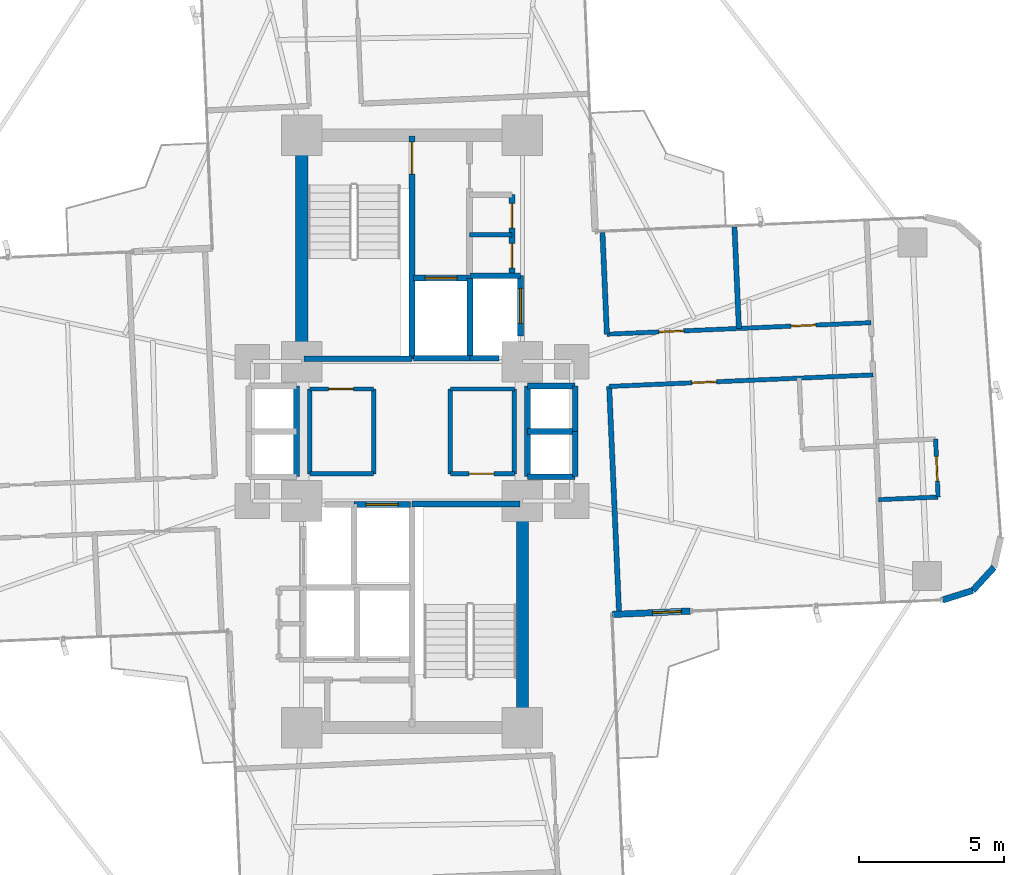
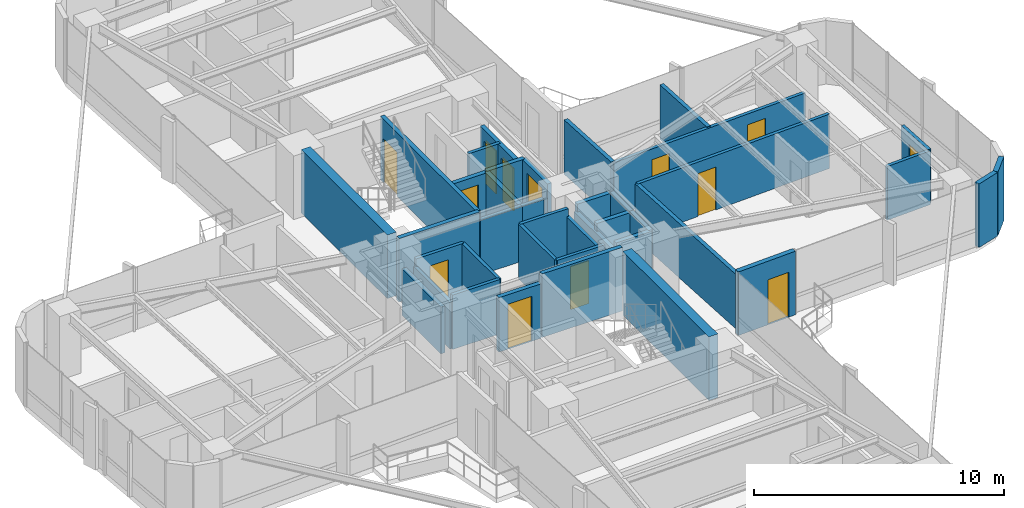
# One storey, part 24 of 27: 39 walls, 13 doors, 13 openings.
"""IFC4 building model written with IfcOpenShell, lengths in metres."""

from ifc_helpers import new_model, si_unit, direction, frame, frame_2d, origin, origin_2d, place, context, subcontext, project, spatial, rectangle, extrude, source, transform, mapped, material, layer, layer_set, type_object, element, fill, save


model = new_model("IFC4")

# Units and contexts
model_context = context("Model", 3, precision=1e-05, world=origin(), true_north=direction((0.0, 1.0)))
body_context = subcontext(model_context, "Body", "Model", "MODEL_VIEW")
ifc_project = project(units=[si_unit("LENGTHUNIT", "METRE"), si_unit("AREAUNIT", "SQUARE_METRE"), si_unit("VOLUMEUNIT", "CUBIC_METRE"), si_unit("PLANEANGLEUNIT", "RADIAN"), si_unit("MASSUNIT", "GRAM", prefix="KILO")], contexts=[model_context])

# Site, building, storey
site_placement = place(None, origin())
site = spatial("IfcSite", under=ifc_project, at=site_placement, CompositionType="ELEMENT")
building_placement = place(site_placement, origin())
building = spatial("IfcBuilding", under=site, at=building_placement, Name="Sahyath Konkavel Grand Hotel", CompositionType="ELEMENT")
storey_placement = place(building_placement, frame((0.0, 0.0, 90.199951171875)))
storey = spatial("IfcBuildingStorey", under=building, at=storey_placement, Name="L24", CompositionType="ELEMENT", Elevation=90.199951171875)

# Walls
ifc_material_1 = material(Name="Concrete C50/60", Category="concrete")
ifc_layer_1 = layer(ifc_material_1, 0.419921875)
ifc_layer_set_1 = layer_set([ifc_layer_1], Name="Concrete C50/60")
wall_type_1 = type_object("IfcWallType", Name="CWALL-420", PredefinedType="SHEAR", material=ifc_layer_set_1)
for number, where, z_axis, x_axis, name in (
    (1, (-3.800048828125, 2.85009765625, 0.0), (0.0, 0.0, 1.0), (0.0, 1.0, 0.0), "L24 North Core Shear Wall W"),
    (2, (3.800048828125, -9.75, 0.0), (0.0, 0.0, 1.0), (0.0, 1.0, 0.0), "L24 South Core Shear Wall E"),
):
    element("IfcWall", number, at=place(storey_placement, frame(where, z_axis=z_axis, x_axis=x_axis)), inside=storey, type_object=wall_type_1, Name=name, PredefinedType="SHEAR", context=body_context, shape_type="SweptSolid", body=[
        extrude(rectangle(XDim=6.89990234375, YDim=0.419921875, at=frame_2d((3.449951171875, 0.0))), origin(), (0.0, 0.0, 1.0), 3.110107421875),
    ])

# Wall, opening, door
ifc_material_2 = material(Name="Warm Buff Sandstone Insulated Concrete C40/50", Category="masonry")
ifc_layer_2 = layer(ifc_material_2, 0.219970703125)
ifc_layer_set_2 = layer_set([ifc_layer_2], Name="Warm Buff Sandstone Insulated Concrete C40/50")
wall_type_2 = type_object("IfcWallType", Name="WLL-BALC-THRESH", PredefinedType="STANDARD", material=ifc_layer_set_2)
wall_1_placement = place(storey_placement, frame((6.881591796875, -6.305908203125, 0.0), z_axis=(0.0, 0.0, 1.0), x_axis=(0.999045894436, 0.043672655174, 0.0)))
wall_1 = element("IfcWall", 3, at=wall_1_placement, inside=storey, type_object=wall_type_2, Name="L24 Winter-Garden Threshold Wall 0", PredefinedType="STANDARD", context=body_context, shape_type="SweptSolid", body=[
    extrude(rectangle(XDim=2.7001953125, YDim=0.219970703125, at=frame_2d((1.35009765625, 0.0))), origin(), (0.0, 0.0, 1.0), 3.110107421875),
])
opening_1_placement = place(wall_1_placement, frame((1.39990234375, 0.0, 0.0)))
opening_1 = element("IfcOpeningElement", 4, at=opening_1_placement, cuts=wall_1, Name="Opening D-TR1", PredefinedType="OPENING", context=body_context, shape_type="SweptSolid", body=[
    extrude(rectangle(XDim=1.0, YDim=2.199951171875, at=frame_2d((0.5, 1.10009765625))), frame((0.0, 0.1201171875, 0.0), z_axis=(0.0, -1.0, 0.0), x_axis=(1.0, 0.0, 0.0)), (0.0, 0.0, 1.0), 0.239990234375),
])
ifc_material_3 = material(Name="Anodised Bronze Aluminium & Low-E Glazing", Category="aluminium")
door_type_1 = type_object("IfcDoorType", Name="DR-TERRACE-1000", OperationType="NOTDEFINED", PredefinedType="DOOR", material=ifc_material_3)
shared_shape_1 = source(origin(), body_context, "Body", "SweptSolid", [
    extrude(rectangle(XDim=1.0, YDim=0.050048828125, at=origin_2d()), origin(), (0.0, 0.0, 1.0), 2.199951171875),
])
door_1_placement = place(opening_1_placement, frame((0.5, 0.0, 0.0)))
door_1 = element("IfcDoor", 5, at=door_1_placement, inside=storey, type_object=door_type_1, Name="L24 Winter-Garden Terrace Door 0", OperationType="SINGLE_SWING_LEFT", OverallHeight=2.199951171875, OverallWidth=1.0, PredefinedType="DOOR", context=body_context, shape_type="MappedRepresentation", body=[
    mapped(shared_shape_1, transform((0.0, 0.0, 0.0), scale=1.0)),
])
fill(opening_1, door_1)

# Walls
for number, where, z_axis, x_axis, name in (
    (6, (18.270751953125, -5.80859375, 0.0), (0.0, 0.0, 1.0), (0.953721713582, 0.30069069331, 0.0), "L24 Rounded Corner Sandstone Pier 1"),
    (7, (19.3076171875, -5.481689453125, 0.0), (0.0, 0.0, 1.0), (0.675551721847, 0.737312600672, 0.0), "L24 Rounded Corner Sandstone Pier 2"),
):
    element("IfcWall", number, at=place(storey_placement, frame(where, z_axis=z_axis, x_axis=x_axis)), inside=storey, type_object=wall_type_2, Name=name, PredefinedType="STANDARD", context=body_context, shape_type="SweptSolid", body=[
        extrude(rectangle(XDim=1.087158203125, YDim=0.219970703125, at=frame_2d((0.54345703125, 0.0))), origin(), (0.0, 0.0, 1.0), 3.110107421875),
    ])

# Wall, opening, door
ifc_material_4 = material(Name="Concrete C40/50", Category="concrete")
ifc_layer_3 = layer(ifc_material_4, 0.199951171875)
ifc_layer_set_3 = layer_set([ifc_layer_3], Name="Concrete C40/50")
wall_type_3 = type_object("IfcWallType", Name="WLL-CORE-200", PredefinedType="SOLIDWALL", material=ifc_layer_set_3)
wall_2_placement = place(storey_placement, frame((0.0, 2.5, 0.0), z_axis=(0.0, 0.0, 1.0), x_axis=(0.0, 1.0, 0.0)))
wall_2 = element("IfcWall", 8, at=wall_2_placement, inside=storey, type_object=wall_type_3, Name="L24 Stair ST-1 Shaft Wall E", PredefinedType="SOLIDWALL", context=body_context, shape_type="SweptSolid", body=[
    extrude(rectangle(XDim=7.679931640625, YDim=0.199951171875, at=frame_2d((3.83984375, 0.0))), origin(), (0.0, 0.0, 1.0), 3.110107421875),
])
opening_2_placement = place(wall_2_placement, frame((6.360107421875, 0.0, 0.0)))
opening_2 = element("IfcOpeningElement", 9, at=opening_2_placement, cuts=wall_2, Name="Opening D-F12B", PredefinedType="OPENING", context=body_context, shape_type="SweptSolid", body=[
    extrude(rectangle(XDim=1.10009765625, YDim=2.14990234375, at=frame_2d((0.550048828125, 1.074951171875))), frame((0.0, 0.10986328125, 0.0), z_axis=(0.0, -1.0, 0.0), x_axis=(1.0, 0.0, 0.0)), (0.0, 0.0, 1.0), 0.219970703125),
])
ifc_material_5 = material(Name="Steel E350 Smokeproof Fire Door", Category="steel")
door_type_2 = type_object("IfcDoorType", Name="DR-FD120-1100", OperationType="NOTDEFINED", PredefinedType="DOOR", material=ifc_material_5)
shared_shape_2 = source(origin(), body_context, "Body", "SweptSolid", [
    extrude(rectangle(XDim=1.10009765625, YDim=0.050048828125, at=origin_2d()), origin(), (0.0, 0.0, 1.0), 2.14990234375),
])
door_2_placement = place(opening_2_placement, frame((0.550048828125, 0.0, 0.0)))
door_2 = element("IfcDoor", 10, at=door_2_placement, inside=storey, type_object=door_type_2, Name="L24 Stair ST-1 Fire Door", OperationType="SINGLE_SWING_RIGHT", OverallHeight=2.14990234375, OverallWidth=1.10009765625, PredefinedType="DOOR", context=body_context, shape_type="MappedRepresentation", body=[
    mapped(shared_shape_2, transform((0.0, 0.0, 0.0), scale=1.0)),
])
fill(opening_2, door_2)

# Walls
for number, where, z_axis, x_axis, name in (
    (11, (-3.719970703125, 2.5, 0.0), (0.0, 0.0, 1.0), (1.0, 0.0, 0.0), "L24 Stair ST-1 Shaft Wall S"),
    (12, (0.0, -2.5, 0.0), (0.0, 0.0, 1.0), (1.0, 0.0, 0.0), "L24 Stair ST-2 Shaft Wall N"),
):
    element("IfcWall", number, at=place(storey_placement, frame(where, z_axis=z_axis, x_axis=x_axis)), inside=storey, type_object=wall_type_3, Name=name, PredefinedType="SOLIDWALL", context=body_context, shape_type="SweptSolid", body=[
        extrude(rectangle(XDim=3.719970703125, YDim=0.199951171875, at=frame_2d((1.85986328125, 0.0))), origin(), (0.0, 0.0, 1.0), 3.110107421875),
    ])
wall_3_placement = place(storey_placement, frame((2.0, 2.5, 0.0), z_axis=(0.0, 0.0, 1.0), x_axis=(0.0, 1.0, 0.0)))
element("IfcWall", 13, at=wall_3_placement, inside=storey, type_object=wall_type_3, Name="L24 Partition SH-FFL1-E", PredefinedType="SOLIDWALL", context=body_context, shape_type="SweptSolid", body=[
    extrude(rectangle(XDim=2.780029296875, YDim=0.199951171875, at=frame_2d((1.39013671875, 0.0))), origin(), (0.0, 0.0, 1.0), 2.66015625),
])
wall_4_placement = place(storey_placement, frame((0.050048828125, 2.52001953125, 0.0), z_axis=(0.0, 0.0, 1.0), x_axis=(1.0, 0.0, 0.0)))
element("IfcWall", 14, at=wall_4_placement, inside=storey, type_object=wall_type_3, Name="L24 Partition SH-FFL1-S", PredefinedType="SOLIDWALL", context=body_context, shape_type="SweptSolid", body=[
    extrude(rectangle(XDim=1.949951171875, YDim=0.199951171875, at=frame_2d((0.97509765625, 0.0))), origin(), (0.0, 0.0, 1.0), 2.66015625),
])

# Wall, opening, door
wall_5_placement = place(storey_placement, frame((0.050048828125, 5.280029296875, 0.0), z_axis=(0.0, 0.0, 1.0), x_axis=(1.0, 0.0, 0.0)))
wall_5 = element("IfcWall", 15, at=wall_5_placement, inside=storey, type_object=wall_type_3, Name="L24 Partition SH-FFL1-N", PredefinedType="SOLIDWALL", context=body_context, shape_type="SweptSolid", body=[
    extrude(rectangle(XDim=1.929931640625, YDim=0.199951171875, at=frame_2d((0.96484375, 0.0))), origin(), (0.0, 0.0, 1.0), 2.66015625),
])
opening_3_placement = place(wall_5_placement, frame((0.39990234375, 0.0, 0.0)))
opening_3 = element("IfcOpeningElement", 16, at=opening_3_placement, cuts=wall_5, Name="Opening LD-11", PredefinedType="OPENING", context=body_context, shape_type="SweptSolid", body=[
    extrude(rectangle(XDim=1.10009765625, YDim=2.199951171875, at=frame_2d((0.550048828125, 1.10009765625))), frame((0.0, 0.10986328125, 0.0), z_axis=(0.0, -1.0, 0.0), x_axis=(1.0, 0.0, 0.0)), (0.0, 0.0, 1.0), 0.219970703125),
])
ifc_material_6 = material(Name="Bronze Lift Landing Door 1100")
door_type_3 = type_object("IfcDoorType", Name="DR-LIFT-1100", OperationType="DOUBLE_DOOR_SLIDING", PredefinedType="DOOR", material=ifc_material_6)
shared_shape_3 = source(origin(), body_context, "Body", "SweptSolid", [
    extrude(rectangle(XDim=1.10009765625, YDim=0.050048828125, at=origin_2d()), origin(), (0.0, 0.0, 1.0), 2.199951171875),
])
door_3_placement = place(opening_3_placement, frame((0.550048828125, 0.0, 0.0)))
door_3 = element("IfcDoor", 17, at=door_3_placement, inside=storey, type_object=door_type_3, Name="L24 Lift FFL-1 Landing Door", OperationType="DOUBLE_DOOR_SLIDING", OverallHeight=2.199951171875, OverallWidth=1.10009765625, PredefinedType="DOOR", context=body_context, shape_type="MappedRepresentation", body=[
    mapped(shared_shape_3, transform((0.0, 0.0, 0.0), scale=1.0)),
])
fill(opening_3, door_3)

wall_6_placement = place(storey_placement, frame((-2.0, -2.52001953125, 0.0), z_axis=(0.0, 0.0, 1.0), x_axis=(1.0, 0.0, 0.0)))
wall_6 = element("IfcWall", 18, at=wall_6_placement, inside=storey, type_object=wall_type_3, Name="L24 Partition SH-FFL2-N", PredefinedType="SOLIDWALL", context=body_context, shape_type="SweptSolid", body=[
    extrude(rectangle(XDim=1.949951171875, YDim=0.199951171875, at=frame_2d((0.97509765625, 0.0))), origin(), (0.0, 0.0, 1.0), 2.66015625),
])
opening_4_placement = place(wall_6_placement, frame((0.419921875, 0.0, 0.0)))
opening_4 = element("IfcOpeningElement", 19, at=opening_4_placement, cuts=wall_6, Name="Opening LD-11", PredefinedType="OPENING", context=body_context, shape_type="SweptSolid", body=[
    extrude(rectangle(XDim=1.10009765625, YDim=2.199951171875, at=frame_2d((0.550048828125, 1.10009765625))), frame((0.0, 0.10986328125, 0.0), z_axis=(0.0, -1.0, 0.0), x_axis=(1.0, 0.0, 0.0)), (0.0, 0.0, 1.0), 0.219970703125),
])
door_4_placement = place(opening_4_placement, frame((0.550048828125, 0.0, 0.0)))
door_4 = element("IfcDoor", 20, at=door_4_placement, inside=storey, type_object=door_type_3, Name="L24 Lift FFL-2 Landing Door", OperationType="DOUBLE_DOOR_SLIDING", OverallHeight=2.199951171875, OverallWidth=1.10009765625, PredefinedType="DOOR", context=body_context, shape_type="MappedRepresentation", body=[
    mapped(shared_shape_3, transform((0.0, 0.0, 0.0), scale=1.0)),
])
fill(opening_4, door_4)

# Walls
wall_7_placement = place(storey_placement, frame((2.0, 2.52001953125, 0.0), z_axis=(0.0, 0.0, 1.0), x_axis=(1.0, 0.0, 0.0)))
element("IfcWall", 21, at=wall_7_placement, inside=storey, type_object=wall_type_3, Name="L24 Partition SH-SVL1-S", PredefinedType="SOLIDWALL", context=body_context, shape_type="SweptSolid", body=[
    extrude(rectangle(XDim=1.0, YDim=0.199951171875, at=frame_2d((0.5, 0.0))), origin(), (0.0, 0.0, 1.0), 2.66015625),
])
wall_8_placement = place(storey_placement, frame((2.0, 5.360107421875, 0.0), z_axis=(0.0, 0.0, 1.0), x_axis=(1.0, 0.0, 0.0)))
element("IfcWall", 22, at=wall_8_placement, inside=storey, type_object=wall_type_3, Name="L24 Partition SH-SVL1-N", PredefinedType="SOLIDWALL", context=body_context, shape_type="SweptSolid", body=[
    extrude(rectangle(XDim=1.739990234375, YDim=0.199951171875, at=frame_2d((0.8701171875, 0.0))), origin(), (0.0, 0.0, 1.0), 2.66015625),
])

# Wall, opening, door
wall_9_placement = place(storey_placement, frame((3.739990234375, 3.280029296875, 0.0), z_axis=(0.0, 0.0, 1.0), x_axis=(0.0, 1.0, 0.0)))
wall_9 = element("IfcWall", 23, at=wall_9_placement, inside=storey, type_object=wall_type_3, Name="L24 Partition SH-SVL1-E", PredefinedType="SOLIDWALL", context=body_context, shape_type="SweptSolid", body=[
    extrude(rectangle(XDim=2.080078125, YDim=0.199951171875, at=frame_2d((1.0400390625, 0.0))), origin(), (0.0, 0.0, 1.0), 2.66015625),
])
opening_5_placement = place(wall_9_placement, frame((0.43994140625, 0.0, 0.0)))
opening_5 = element("IfcOpeningElement", 24, at=opening_5_placement, cuts=wall_9, Name="Opening LD-12", PredefinedType="OPENING", context=body_context, shape_type="SweptSolid", body=[
    extrude(rectangle(XDim=1.199951171875, YDim=2.199951171875, at=frame_2d((0.60009765625, 1.10009765625))), frame((0.0, 0.10986328125, 0.0), z_axis=(0.0, -1.0, 0.0), x_axis=(1.0, 0.0, 0.0)), (0.0, 0.0, 1.0), 0.219970703125),
])
ifc_material_7 = material(Name="Stainless Steel Lift Landing Door 1200", Category="steel")
door_type_4 = type_object("IfcDoorType", Name="DR-LIFT-1200", OperationType="DOUBLE_DOOR_SLIDING", PredefinedType="DOOR", material=ifc_material_7)
shared_shape_4 = source(origin(), body_context, "Body", "SweptSolid", [
    extrude(rectangle(XDim=1.199951171875, YDim=0.050048828125, at=origin_2d()), origin(), (0.0, 0.0, 1.0), 2.199951171875),
])
door_5_placement = place(opening_5_placement, frame((0.60009765625, 0.0, 0.0)))
door_5 = element("IfcDoor", 25, at=door_5_placement, inside=storey, type_object=door_type_4, Name="L24 Service Lift SVL-1 Landing Door", OperationType="DOUBLE_DOOR_SLIDING", OverallHeight=2.199951171875, OverallWidth=1.199951171875, PredefinedType="DOOR", context=body_context, shape_type="MappedRepresentation", body=[
    mapped(shared_shape_4, transform((0.0, 0.0, 0.0), scale=1.0)),
])
fill(opening_5, door_5)

# Walls
wall_10_placement = place(storey_placement, frame((3.97998046875, -1.56005859375, 0.0), z_axis=(0.0, 0.0, 1.0), x_axis=(0.0, 1.0, 0.0)))
element("IfcWall", 26, at=wall_10_placement, inside=storey, type_object=wall_type_3, Name="L24 Partition SH-PL56-W", PredefinedType="SOLIDWALL", context=body_context, shape_type="SweptSolid", body=[
    extrude(rectangle(XDim=3.1201171875, YDim=0.199951171875, at=frame_2d((1.56005859375, 0.0))), origin(), (0.0, 0.0, 1.0), 2.280029296875),
])
for number, where, z_axis, x_axis, name in (
    (27, (3.97998046875, 1.56005859375, 0.0), (0.0, 0.0, 1.0), (1.0, 0.0, 0.0), "L24 Partition SH-PL56-N"),
    (28, (3.97998046875, -1.56005859375, 0.0), (0.0, 0.0, 1.0), (1.0, 0.0, 0.0), "L24 Partition SH-PL56-S"),
    (29, (3.97998046875, 0.0, 0.0), (0.0, 0.0, 1.0), (1.0, 0.0, 0.0), "L24 Partition SH-PL56-M"),
):
    element("IfcWall", number, at=place(storey_placement, frame(where, z_axis=z_axis, x_axis=x_axis)), inside=storey, type_object=wall_type_3, Name=name, PredefinedType="SOLIDWALL", context=body_context, shape_type="SweptSolid", body=[
        extrude(rectangle(XDim=1.64013671875, YDim=0.199951171875, at=frame_2d((0.820068359375, 0.0))), origin(), (0.0, 0.0, 1.0), 2.66015625),
    ])
for number, where, z_axis, x_axis, name in (
    (30, (5.6201171875, 0.0, 0.0), (0.0, 0.0, 1.0), (0.0, 1.0, 0.0), "L24 Partition SH-PL5-E"),
    (31, (5.6201171875, -1.56005859375, 0.0), (0.0, 0.0, 1.0), (0.0, 1.0, 0.0), "L24 Partition SH-PL6-E"),
):
    element("IfcWall", number, at=place(storey_placement, frame(where, z_axis=z_axis, x_axis=x_axis)), inside=storey, type_object=wall_type_3, Name=name, PredefinedType="SOLIDWALL", context=body_context, shape_type="SweptSolid", body=[
        extrude(rectangle(XDim=1.56005859375, YDim=0.199951171875, at=frame_2d((0.780029296875, 0.0))), origin(), (0.0, 0.0, 1.0), 2.66015625),
    ])
wall_11_placement = place(storey_placement, frame((-3.97998046875, -1.56005859375, 0.0), z_axis=(0.0, 0.0, 1.0), x_axis=(0.0, 1.0, 0.0)))
element("IfcWall", 32, at=wall_11_placement, inside=storey, type_object=wall_type_3, Name="L24 Partition SH-SL12-E", PredefinedType="SOLIDWALL", context=body_context, shape_type="SweptSolid", body=[
    extrude(rectangle(XDim=3.1201171875, YDim=0.199951171875, at=frame_2d((1.56005859375, 0.0))), origin(), (0.0, 0.0, 1.0), 2.280029296875),
])

# Wall, openings, doors
wall_12_placement = place(storey_placement, frame((3.43994140625, 5.3798828125, 0.0), z_axis=(0.0, 0.0, 1.0), x_axis=(0.0, 1.0, 0.0)))
wall_12 = element("IfcWall", 33, at=wall_12_placement, inside=storey, type_object=wall_type_3, Name="L24 Reclaimed North Core Wall E", PredefinedType="SOLIDWALL", context=body_context, shape_type="SweptSolid", body=[
    extrude(rectangle(XDim=2.77001953125, YDim=0.199951171875, at=frame_2d((1.385009765625, 0.0))), origin(), (0.0, 0.0, 1.0), 2.66015625),
])
opening_6_placement = place(wall_12_placement, frame((0.239990234375, 0.0, 0.0)))
opening_6 = element("IfcOpeningElement", 34, at=opening_6_placement, cuts=wall_12, Name="Opening D-F06D", PredefinedType="OPENING", context=body_context, shape_type="SweptSolid", body=[
    extrude(rectangle(XDim=0.85009765625, YDim=2.10009765625, at=frame_2d((0.425048828125, 1.050048828125))), frame((0.0, 0.10986328125, 0.0), z_axis=(0.0, -1.0, 0.0), x_axis=(1.0, 0.0, 0.0)), (0.0, 0.0, 1.0), 0.219970703125),
])
opening_7_placement = place(wall_12_placement, frame((1.6201171875, 0.0, 0.0)))
opening_7 = element("IfcOpeningElement", 35, at=opening_7_placement, cuts=wall_12, Name="Opening D-F06D", PredefinedType="OPENING", context=body_context, shape_type="SweptSolid", body=[
    extrude(rectangle(XDim=0.85009765625, YDim=2.10009765625, at=frame_2d((0.425048828125, 1.050048828125))), frame((0.0, 0.10986328125, 0.0), z_axis=(0.0, -1.0, 0.0), x_axis=(1.0, 0.0, 0.0)), (0.0, 0.0, 1.0), 0.219970703125),
])
ifc_material_8 = material(Name="Fire-Rated Shaft Access Door")
door_type_5 = type_object("IfcDoorType", Name="DR-FD60-850", OperationType="NOTDEFINED", PredefinedType="DOOR", material=ifc_material_8)
shared_shape_5 = source(origin(), body_context, "Body", "SweptSolid", [
    extrude(rectangle(XDim=0.85009765625, YDim=0.050048828125, at=origin_2d()), origin(), (0.0, 0.0, 1.0), 2.10009765625),
])
door_6_placement = place(opening_6_placement, frame((0.425048828125, 0.0, 0.0)))
door_6 = element("IfcDoor", 36, at=door_6_placement, inside=storey, type_object=door_type_5, Name="L24 Door NC-REC1-D", OperationType="SINGLE_SWING_LEFT", OverallHeight=2.10009765625, OverallWidth=0.85009765625, PredefinedType="DOOR", context=body_context, shape_type="MappedRepresentation", body=[
    mapped(shared_shape_5, transform((0.0, 0.0, 0.0), scale=1.0)),
])
fill(opening_6, door_6)
door_7_placement = place(opening_7_placement, frame((0.425048828125, 0.0, 0.0)))
door_7 = element("IfcDoor", 37, at=door_7_placement, inside=storey, type_object=door_type_5, Name="L24 Door NC-REC2-D", OperationType="SINGLE_SWING_RIGHT", OverallHeight=2.10009765625, OverallWidth=0.85009765625, PredefinedType="DOOR", context=body_context, shape_type="MappedRepresentation", body=[
    mapped(shared_shape_5, transform((0.0, 0.0, 0.0), scale=1.0)),
])
fill(opening_7, door_7)

# Walls
ifc_material_9 = material(Name="Twin-Stud Acoustic Gypsum Plasterboard Partition")
ifc_layer_4 = layer(ifc_material_9, 0.179931640625)
ifc_layer_set_4 = layer_set([ifc_layer_4], Name="Twin-Stud Acoustic Gypsum Plasterboard Partition")
wall_type_4 = type_object("IfcWallType", Name="WLL-DEMISE-180", PredefinedType="PARTITIONING", material=ifc_layer_set_4)
wall_13_placement = place(storey_placement, frame((6.71044921875, 3.345947265625, 0.0), z_axis=(0.0, 0.0, 1.0), x_axis=(-0.043597663116, 0.999049169846, 0.0)))
element("IfcWall", 38, at=wall_13_placement, inside=storey, type_object=wall_type_4, Name="L24 Partition E-INL", PredefinedType="PARTITIONING", context=body_context, shape_type="SweptSolid", body=[
    extrude(rectangle(XDim=3.5, YDim=0.179931640625, at=frame_2d((1.75, 0.0))), origin(), (0.0, 0.0, 1.0), 2.66015625),
])
wall_14_placement = place(storey_placement, frame((7.129150390625, -6.2451171875, 0.0), z_axis=(0.0, 0.0, 1.0), x_axis=(-0.043600217373, 0.999049058378, 0.0)))
element("IfcWall", 39, at=wall_14_placement, inside=storey, type_object=wall_type_4, Name="L24 Partition E-INR", PredefinedType="PARTITIONING", context=body_context, shape_type="SweptSolid", body=[
    extrude(rectangle(XDim=7.800048828125, YDim=0.179931640625, at=frame_2d((3.89990234375, 0.0))), origin(), (0.0, 0.0, 1.0), 2.66015625),
])
wall_15_placement = place(storey_placement, frame((11.256103515625, 3.54443359375, 0.0), z_axis=(0.0, 0.0, 1.0), x_axis=(-0.043597663116, 0.999049169846, 0.0)))
element("IfcWall", 40, at=wall_15_placement, inside=storey, type_object=wall_type_4, Name="L24 Partition E-E4L1-DEM", PredefinedType="PARTITIONING", context=body_context, shape_type="SweptSolid", body=[
    extrude(rectangle(XDim=3.5, YDim=0.179931640625, at=frame_2d((1.75, 0.0))), origin(), (0.0, 0.0, 1.0), 2.66015625),
])
ifc_material_10 = material(Name="Fire-Rated Gypsum Plasterboard Partition")
ifc_layer_5 = layer(ifc_material_10, 0.14990234375)
ifc_layer_set_5 = layer_set([ifc_layer_5], Name="Fire-Rated Gypsum Plasterboard Partition")
wall_type_5 = type_object("IfcWallType", Name="WLL-PART-150", PredefinedType="PARTITIONING", material=ifc_layer_set_5)
wall_16_placement = place(storey_placement, frame((1.97998046875, 6.77001953125, 0.0), z_axis=(0.0, 0.0, 1.0), x_axis=(1.0, 0.0, 0.0)))
element("IfcWall", 41, at=wall_16_placement, inside=storey, type_object=wall_type_5, Name="L24 Partition NC-REC-M1", PredefinedType="PARTITIONING", context=body_context, shape_type="SweptSolid", body=[
    extrude(rectangle(XDim=1.4599609375, YDim=0.14990234375, at=frame_2d((0.72998046875, 0.0))), origin(), (0.0, 0.0, 1.0), 2.66015625),
])
wall_17_placement = place(storey_placement, frame((-1.320068359375, -1.4599609375, 0.0), z_axis=(0.0, 0.0, 1.0), x_axis=(0.0, 1.0, 0.0)))
element("IfcWall", 42, at=wall_17_placement, inside=storey, type_object=wall_type_5, Name="L24 Partition CC-1WI", PredefinedType="PARTITIONING", context=body_context, shape_type="SweptSolid", body=[
    extrude(rectangle(XDim=2.919921875, YDim=0.14990234375, at=frame_2d((1.4599609375, 0.0))), origin(), (0.0, 0.0, 1.0), 2.66015625),
])
wall_18_placement = place(storey_placement, frame((-3.52001953125, -1.4599609375, 0.0), z_axis=(0.0, 0.0, 1.0), x_axis=(0.0, 1.0, 0.0)))
element("IfcWall", 43, at=wall_18_placement, inside=storey, type_object=wall_type_5, Name="L24 Partition CC-1WO", PredefinedType="PARTITIONING", context=body_context, shape_type="SweptSolid", body=[
    extrude(rectangle(XDim=2.919921875, YDim=0.14990234375, at=frame_2d((1.4599609375, 0.0))), origin(), (0.0, 0.0, 1.0), 2.280029296875),
])

# Wall, opening, door
wall_19_placement = place(storey_placement, frame((-3.52001953125, 1.4599609375, 0.0), z_axis=(0.0, 0.0, 1.0), x_axis=(1.0, 0.0, 0.0)))
wall_19 = element("IfcWall", 44, at=wall_19_placement, inside=storey, type_object=wall_type_5, Name="L24 Partition CC-1WN", PredefinedType="PARTITIONING", context=body_context, shape_type="SweptSolid", body=[
    extrude(rectangle(XDim=2.199951171875, YDim=0.14990234375, at=frame_2d((1.10009765625, 0.0))), origin(), (0.0, 0.0, 1.0), 2.66015625),
])
opening_8_placement = place(wall_19_placement, frame((0.64990234375, 0.0, 0.0)))
opening_8 = element("IfcOpeningElement", 45, at=opening_8_placement, cuts=wall_19, Name="Opening D-F06D", PredefinedType="OPENING", context=body_context, shape_type="SweptSolid", body=[
    extrude(rectangle(XDim=0.85009765625, YDim=2.10009765625, at=frame_2d((0.425048828125, 1.050048828125))), frame((0.0, 0.0849609375, 0.0), z_axis=(0.0, -1.0, 0.0), x_axis=(1.0, 0.0, 0.0)), (0.0, 0.0, 1.0), 0.169921875),
])
door_8_placement = place(opening_8_placement, frame((0.425048828125, 0.0, 0.0)))
door_8 = element("IfcDoor", 46, at=door_8_placement, inside=storey, type_object=door_type_5, Name="L24 Door CC-D1W", OperationType="SINGLE_SWING_LEFT", OverallHeight=2.10009765625, OverallWidth=0.85009765625, PredefinedType="DOOR", context=body_context, shape_type="MappedRepresentation", body=[
    mapped(shared_shape_5, transform((0.0, 0.0, 0.0), scale=1.0)),
])
fill(opening_8, door_8)

# Walls
wall_20_placement = place(storey_placement, frame((-3.52001953125, -1.4599609375, 0.0), z_axis=(0.0, 0.0, 1.0), x_axis=(1.0, 0.0, 0.0)))
element("IfcWall", 47, at=wall_20_placement, inside=storey, type_object=wall_type_5, Name="L24 Partition CC-1WS", PredefinedType="PARTITIONING", context=body_context, shape_type="SweptSolid", body=[
    extrude(rectangle(XDim=2.199951171875, YDim=0.14990234375, at=frame_2d((1.10009765625, 0.0))), origin(), (0.0, 0.0, 1.0), 2.66015625),
])
wall_21_placement = place(storey_placement, frame((1.320068359375, -1.4599609375, 0.0), z_axis=(0.0, 0.0, 1.0), x_axis=(0.0, 1.0, 0.0)))
element("IfcWall", 48, at=wall_21_placement, inside=storey, type_object=wall_type_5, Name="L24 Partition CC-1EI", PredefinedType="PARTITIONING", context=body_context, shape_type="SweptSolid", body=[
    extrude(rectangle(XDim=2.919921875, YDim=0.14990234375, at=frame_2d((1.4599609375, 0.0))), origin(), (0.0, 0.0, 1.0), 2.66015625),
])
wall_22_placement = place(storey_placement, frame((3.52001953125, -1.4599609375, 0.0), z_axis=(0.0, 0.0, 1.0), x_axis=(0.0, 1.0, 0.0)))
element("IfcWall", 49, at=wall_22_placement, inside=storey, type_object=wall_type_5, Name="L24 Partition CC-1EO", PredefinedType="PARTITIONING", context=body_context, shape_type="SweptSolid", body=[
    extrude(rectangle(XDim=2.919921875, YDim=0.14990234375, at=frame_2d((1.4599609375, 0.0))), origin(), (0.0, 0.0, 1.0), 2.280029296875),
])
wall_23_placement = place(storey_placement, frame((1.320068359375, 1.4599609375, 0.0), z_axis=(0.0, 0.0, 1.0), x_axis=(1.0, 0.0, 0.0)))
element("IfcWall", 50, at=wall_23_placement, inside=storey, type_object=wall_type_5, Name="L24 Partition CC-1EN", PredefinedType="PARTITIONING", context=body_context, shape_type="SweptSolid", body=[
    extrude(rectangle(XDim=2.199951171875, YDim=0.14990234375, at=frame_2d((1.10009765625, 0.0))), origin(), (0.0, 0.0, 1.0), 2.66015625),
])

# Wall, opening, door
wall_24_placement = place(storey_placement, frame((1.320068359375, -1.4599609375, 0.0), z_axis=(0.0, 0.0, 1.0), x_axis=(1.0, 0.0, 0.0)))
wall_24 = element("IfcWall", 51, at=wall_24_placement, inside=storey, type_object=wall_type_5, Name="L24 Partition CC-1ES", PredefinedType="PARTITIONING", context=body_context, shape_type="SweptSolid", body=[
    extrude(rectangle(XDim=2.199951171875, YDim=0.14990234375, at=frame_2d((1.10009765625, 0.0))), origin(), (0.0, 0.0, 1.0), 2.66015625),
])
opening_9_placement = place(wall_24_placement, frame((0.64990234375, 0.0, 0.0)))
opening_9 = element("IfcOpeningElement", 52, at=opening_9_placement, cuts=wall_24, Name="Opening D-F06D", PredefinedType="OPENING", context=body_context, shape_type="SweptSolid", body=[
    extrude(rectangle(XDim=0.85009765625, YDim=2.10009765625, at=frame_2d((0.425048828125, 1.050048828125))), frame((0.0, 0.0849609375, 0.0), z_axis=(0.0, -1.0, 0.0), x_axis=(1.0, 0.0, 0.0)), (0.0, 0.0, 1.0), 0.169921875),
])
door_9_placement = place(opening_9_placement, frame((0.425048828125, 0.0, 0.0)))
door_9 = element("IfcDoor", 53, at=door_9_placement, inside=storey, type_object=door_type_5, Name="L24 Door CC-D1E", OperationType="SINGLE_SWING_RIGHT", OverallHeight=2.10009765625, OverallWidth=0.85009765625, PredefinedType="DOOR", context=body_context, shape_type="MappedRepresentation", body=[
    mapped(shared_shape_5, transform((0.0, 0.0, 0.0), scale=1.0)),
])
fill(opening_9, door_9)

# Wall, openings, doors
wall_25_placement = place(storey_placement, frame((6.71044921875, 3.345947265625, 0.0), z_axis=(0.0, 0.0, 1.0), x_axis=(0.999048041751, 0.043623505985, 0.0)))
wall_25 = element("IfcWall", 54, at=wall_25_placement, inside=storey, type_object=wall_type_5, Name="L24 Partition E-CL", PredefinedType="PARTITIONING", context=body_context, shape_type="SweptSolid", body=[
    extrude(rectangle(XDim=9.099853515625, YDim=0.14990234375, at=frame_2d((4.5498046875, 0.0))), origin(), (0.0, 0.0, 1.0), 2.630126953125),
])
opening_10_placement = place(wall_25_placement, frame((1.800048828125, 0.0, 0.0)))
opening_10 = element("IfcOpeningElement", 55, at=opening_10_placement, cuts=wall_25, Name="Opening D-F06D", PredefinedType="OPENING", context=body_context, shape_type="SweptSolid", body=[
    extrude(rectangle(XDim=0.85009765625, YDim=2.10009765625, at=frame_2d((0.425048828125, 1.050048828125))), frame((0.0, 0.0849609375, 0.0), z_axis=(0.0, -1.0, 0.0), x_axis=(1.0, 0.0, 0.0)), (0.0, 0.0, 1.0), 0.169921875),
])
opening_11_placement = place(wall_25_placement, frame((6.35009765625, 0.0, 0.0)))
opening_11 = element("IfcOpeningElement", 56, at=opening_11_placement, cuts=wall_25, Name="Opening D-F06D", PredefinedType="OPENING", context=body_context, shape_type="SweptSolid", body=[
    extrude(rectangle(XDim=0.85009765625, YDim=2.10009765625, at=frame_2d((0.425048828125, 1.050048828125))), frame((0.0, 0.0849609375, 0.0), z_axis=(0.0, -1.0, 0.0), x_axis=(1.0, 0.0, 0.0)), (0.0, 0.0, 1.0), 0.169921875),
])
door_10_placement = place(opening_10_placement, frame((0.425048828125, 0.0, 0.0)))
door_10 = element("IfcDoor", 57, at=door_10_placement, inside=storey, type_object=door_type_5, Name="L24 Door E-E4L1-D", OperationType="SINGLE_SWING_LEFT", OverallHeight=2.10009765625, OverallWidth=0.85009765625, PredefinedType="DOOR", context=body_context, shape_type="MappedRepresentation", body=[
    mapped(shared_shape_5, transform((0.0, 0.0, 0.0), scale=1.0)),
])
fill(opening_10, door_10)
door_11_placement = place(opening_11_placement, frame((0.425048828125, 0.0, 0.0)))
door_11 = element("IfcDoor", 58, at=door_11_placement, inside=storey, type_object=door_type_5, Name="L24 Door E-E4L2-D", OperationType="SINGLE_SWING_RIGHT", OverallHeight=2.10009765625, OverallWidth=0.85009765625, PredefinedType="DOOR", context=body_context, shape_type="MappedRepresentation", body=[
    mapped(shared_shape_5, transform((0.0, 0.0, 0.0), scale=1.0)),
])
fill(opening_11, door_11)

# Wall, opening, door
wall_26_placement = place(storey_placement, frame((6.7890625, 1.547607421875, 0.0), z_axis=(0.0, 0.0, 1.0), x_axis=(0.999048041751, 0.043623505985, 0.0)))
wall_26 = element("IfcWall", 59, at=wall_26_placement, inside=storey, type_object=wall_type_5, Name="L24 Partition E-CR", PredefinedType="PARTITIONING", context=body_context, shape_type="SweptSolid", body=[
    extrude(rectangle(XDim=9.099853515625, YDim=0.14990234375, at=frame_2d((4.5498046875, 0.0))), origin(), (0.0, 0.0, 1.0), 2.66015625),
])
opening_12_placement = place(wall_26_placement, frame((2.85009765625, 0.0, 0.0)))
opening_12 = element("IfcOpeningElement", 60, at=opening_12_placement, cuts=wall_26, Name="Opening D-F06D", PredefinedType="OPENING", context=body_context, shape_type="SweptSolid", body=[
    extrude(rectangle(XDim=0.85009765625, YDim=2.10009765625, at=frame_2d((0.425048828125, 1.050048828125))), frame((0.0, 0.0849609375, 0.0), z_axis=(0.0, -1.0, 0.0), x_axis=(1.0, 0.0, 0.0)), (0.0, 0.0, 1.0), 0.169921875),
])
door_12_placement = place(opening_12_placement, frame((0.425048828125, 0.0, 0.0)))
door_12 = element("IfcDoor", 61, at=door_12_placement, inside=storey, type_object=door_type_5, Name="L24 Door E-E4R1-ED", OperationType="SINGLE_SWING_RIGHT", OverallHeight=2.10009765625, OverallWidth=0.85009765625, PredefinedType="DOOR", context=body_context, shape_type="MappedRepresentation", body=[
    mapped(shared_shape_5, transform((0.0, 0.0, 0.0), scale=1.0)),
])
fill(opening_12, door_12)

# Wall
wall_27_placement = place(storey_placement, frame((16.06787109375, -2.351318359375, 0.0), z_axis=(0.0, 0.0, 1.0), x_axis=(0.999049630844, 0.043587097972, 0.0)))
element("IfcWall", 62, at=wall_27_placement, inside=storey, type_object=wall_type_5, Name="L24 Partition E-ETIP-BS", PredefinedType="PARTITIONING", context=body_context, shape_type="SweptSolid", body=[
    extrude(rectangle(XDim=2.050048828125, YDim=0.14990234375, at=frame_2d((1.02490234375, 0.0))), origin(), (0.0, 0.0, 1.0), 2.630126953125),
])

# Wall, opening, door
wall_28_placement = place(storey_placement, frame((18.115966796875, -2.261962890625, 0.0), z_axis=(0.0, 0.0, 1.0), x_axis=(-0.043580257179, 0.999049929275, 0.0)))
wall_28 = element("IfcWall", 63, at=wall_28_placement, inside=storey, type_object=wall_type_5, Name="L24 Partition E-ETIP-BE", PredefinedType="PARTITIONING", context=body_context, shape_type="SweptSolid", body=[
    extrude(rectangle(XDim=2.0, YDim=0.14990234375, at=frame_2d((1.0, 0.0))), origin(), (0.0, 0.0, 1.0), 2.66015625),
])
opening_13_placement = place(wall_28_placement, frame((0.550048828125, 0.0, 0.0)))
opening_13 = element("IfcOpeningElement", 64, at=opening_13_placement, cuts=wall_28, Name="Opening D-BT85", PredefinedType="OPENING", context=body_context, shape_type="SweptSolid", body=[
    extrude(rectangle(XDim=0.85009765625, YDim=2.10009765625, at=frame_2d((0.425048828125, 1.050048828125))), frame((0.0, 0.0849609375, 0.0), z_axis=(0.0, -1.0, 0.0), x_axis=(1.0, 0.0, 0.0)), (0.0, 0.0, 1.0), 0.169921875),
])
ifc_material_11 = material(Name="Moisture-Resistant Teak Bathroom Door")
door_type_6 = type_object("IfcDoorType", Name="DR-BATH-850", OperationType="NOTDEFINED", PredefinedType="DOOR", material=ifc_material_11)
door_13_placement = place(opening_13_placement, frame((0.425048828125, 0.0, 0.0)))
door_13 = element("IfcDoor", 65, at=door_13_placement, inside=storey, type_object=door_type_6, Name="L24 Door E-ETIP-BD", OperationType="SINGLE_SWING_LEFT", OverallHeight=2.10009765625, OverallWidth=0.85009765625, PredefinedType="DOOR", context=body_context, shape_type="MappedRepresentation", body=[
    mapped(shared_shape_5, transform((0.0, 0.0, 0.0), scale=1.0)),
])
fill(opening_13, door_13)

save(model, "model.ifc")
